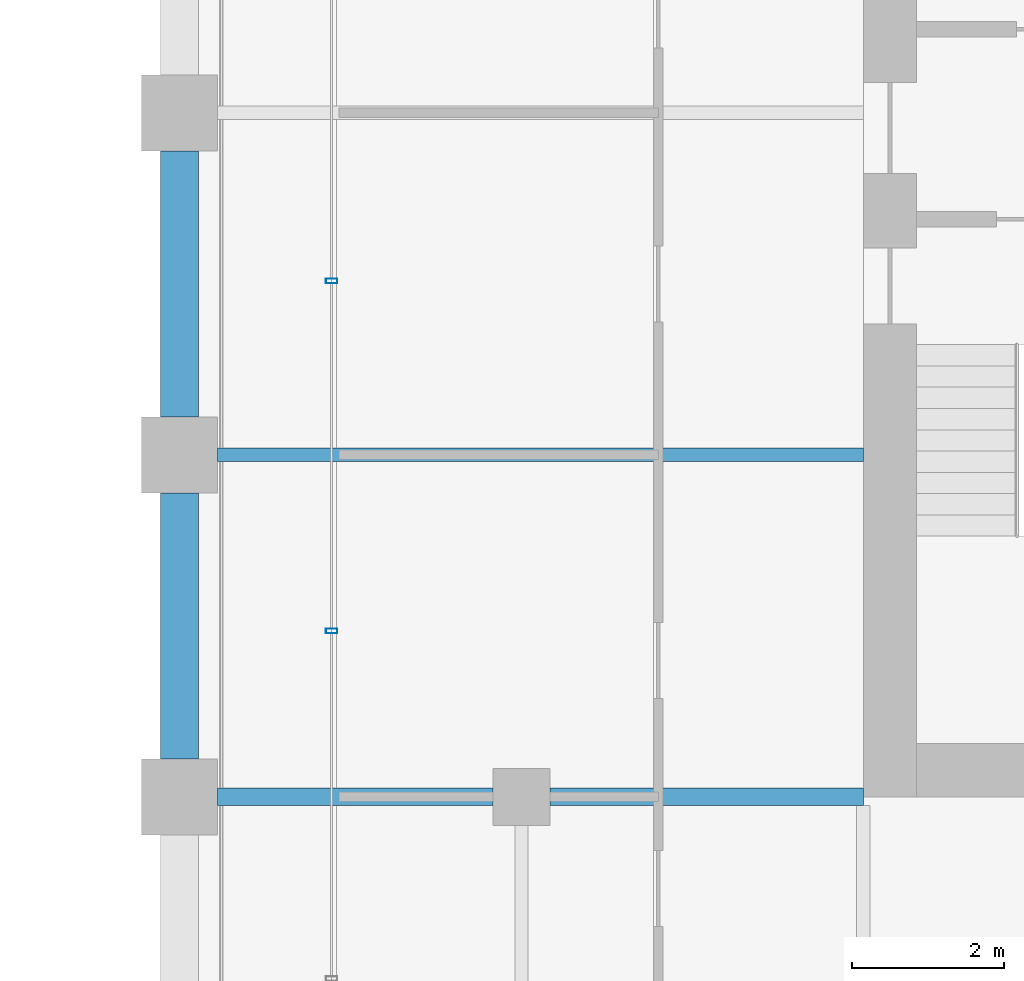
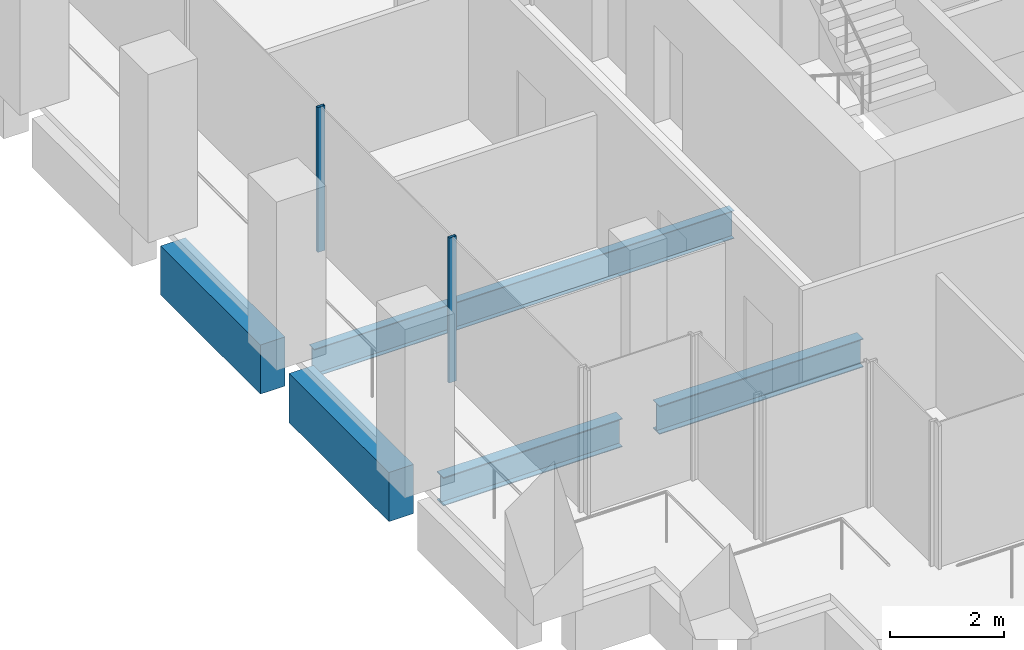
# One storey, part 30 of 47: 5 beams, 2 members, 1 element without a shape of its own.
"""IFC4 building model written with IfcOpenShell, lengths in metres."""

from ifc_helpers import new_model, si_unit, direction, frame, origin, origin_2d, place, context, subcontext, project, spatial, rectangle, hollow_rectangle, i_section, extrude, material, material_profile, profile_set, type_object, element, aggregate, save


model = new_model("IFC4")

# Units and contexts
model_context = context("Model", 3, precision=1e-05, world=origin(), true_north=direction((0.0, 1.0)))
body_context = subcontext(model_context, "Body", "Model", "MODEL_VIEW")
ifc_project = project(units=[si_unit("LENGTHUNIT", "METRE"), si_unit("AREAUNIT", "SQUARE_METRE"), si_unit("VOLUMEUNIT", "CUBIC_METRE"), si_unit("PLANEANGLEUNIT", "RADIAN"), si_unit("MASSUNIT", "GRAM", prefix="KILO")], contexts=[model_context])

# Site, building, storey
site_placement = place(None, origin())
site = spatial("IfcSite", under=ifc_project, at=site_placement, CompositionType="ELEMENT")
building_placement = place(site_placement, origin())
building = spatial("IfcBuilding", under=site, at=building_placement, Name="Altepetl Exchange Towers", CompositionType="ELEMENT")
storey_placement = place(building_placement, frame((0.0, 0.0, 99.199951171875)))
storey = spatial("IfcBuildingStorey", under=building, at=storey_placement, Name="L24", CompositionType="ELEMENT", Elevation=99.199951171875)

# Beams
ifc_material_1 = material(Name="Steel S355", Category="steel")
ifc_material_profile_1 = material_profile(ifc_material_1, i_section(OverallWidth=0.177978515625, OverallDepth=0.59912109375, WebThickness=0.010009765625, FlangeThickness=0.0126953125, at=origin_2d()), Name="W24X55")
ifc_profile_set_1 = profile_set([ifc_material_profile_1], Name="Steel S355")
beam_type_1 = type_object("IfcBeamType", Name="Floor beam W24X55", PredefinedType="BEAM", material=ifc_profile_set_1)
beam_1_placement = place(storey_placement, frame((95.0, 40.5, -0.449462890625), z_axis=(1.0, 0.0, 0.0), x_axis=(0.0, 1.0, 0.0)))
element("IfcBeam", 1, at=beam_1_placement, inside=storey, type_object=beam_type_1, Name="bm:B:L24:008", PredefinedType="BEAM", context=body_context, shape_type="SweptSolid", body=[
    extrude(i_section(OverallWidth=0.177978515625, OverallDepth=0.59912109375, WebThickness=0.010009765625, FlangeThickness=0.0126953125, at=origin_2d()), origin(), (0.0, 0.0, 1.0), 8.5),
])
ifc_material_profile_2 = material_profile(ifc_material_1, i_section(OverallWidth=0.22802734375, OverallDepth=0.60791015625, WebThickness=0.01123046875, FlangeThickness=0.017333984375, at=origin_2d()), Name="W24X76")
ifc_profile_set_2 = profile_set([ifc_material_profile_2], Name="Steel S355")
beam_type_2 = type_object("IfcBeamType", Name="Girder W24X76", PredefinedType="BEAM", material=ifc_profile_set_2)
beam_2_placement = place(storey_placement, frame((103.5, 36.0, -0.453857421875), z_axis=(-1.0, 0.0, 0.0), x_axis=(0.0, -1.0, 0.0)))
element("IfcBeam", 2, at=beam_2_placement, inside=storey, type_object=beam_type_2, Name="gd:B:L24:002", PredefinedType="BEAM", context=body_context, shape_type="SweptSolid", body=[
    extrude(i_section(OverallWidth=0.22802734375, OverallDepth=0.60791015625, WebThickness=0.01123046875, FlangeThickness=0.017333984375, at=origin_2d()), origin(), (0.0, 0.0, 1.0), 4.125),
])
beam_3_placement = place(storey_placement, frame((98.625, 36.0, -0.453857421875), z_axis=(-1.0, 0.0, 0.0), x_axis=(0.0, -1.0, 0.0)))
element("IfcBeam", 3, at=beam_3_placement, inside=storey, type_object=beam_type_2, Name="gd:B:L24:003", PredefinedType="BEAM", context=body_context, shape_type="SweptSolid", body=[
    extrude(i_section(OverallWidth=0.22802734375, OverallDepth=0.60791015625, WebThickness=0.01123046875, FlangeThickness=0.017333984375, at=origin_2d()), origin(), (0.0, 0.0, 1.0), 3.625),
])

# Curtain wall, members
ifc_material_2 = material(Name="Aluminium 6063-T6 glazing", Category="aluminium")
curtain_wall_type = type_object("IfcCurtainWallType", Name="Loggia glazing system", PredefinedType="NOTDEFINED", material=ifc_material_2)
curtain_wall_placement = place(storey_placement, origin())
curtain_wall = element("IfcCurtainWall", 4, at=curtain_wall_placement, inside=storey, type_object=curtain_wall_type, Name="CW1 run", PredefinedType="NOTDEFINED")
ifc_material_3 = material(Name="Aluminium 6063-T6", Category="aluminium")
ifc_material_profile_3 = material_profile(ifc_material_3, hollow_rectangle(XDim=0.06005859375, YDim=0.14990234375, WallThickness=0.0029296875, at=origin_2d()), Name="Mullion 60x150 aluminium")
ifc_profile_set_3 = profile_set([ifc_material_profile_3], Name="Aluminium 6063-T6")
member_type = type_object("IfcMemberType", Name="Mullion 60x150 aluminium", PredefinedType="MULLION", material=ifc_profile_set_3)
member_1_placement = place(storey_placement, frame((96.5, 42.78759765625, 0.0), z_axis=(0.0, 0.0, 1.0), x_axis=(0.0, -1.0, 0.0)))
member_1 = element("IfcMember", 5, at=member_1_placement, type_object=member_type, Name="MU1 mullion", PredefinedType="MULLION", context=body_context, shape_type="SweptSolid", body=[
    extrude(hollow_rectangle(XDim=0.06005859375, YDim=0.14990234375, WallThickness=0.0029296875, at=origin_2d()), origin(), (0.0, 0.0, 1.0), 3.10009765625),
])
member_2_placement = place(storey_placement, frame((96.5, 38.18115234375, 0.0), z_axis=(0.0, 0.0, 1.0), x_axis=(0.0, -1.0, 0.0)))
member_2 = element("IfcMember", 6, at=member_2_placement, type_object=member_type, Name="MU1 mullion", PredefinedType="MULLION", context=body_context, shape_type="SweptSolid", body=[
    extrude(hollow_rectangle(XDim=0.06005859375, YDim=0.14990234375, WallThickness=0.0029296875, at=origin_2d()), origin(), (0.0, 0.0, 1.0), 3.10009765625),
])
aggregate(curtain_wall, [member_1, member_2])

# Beams
ifc_material_4 = material(Name="Concrete C50/60 precast with cantera rosa facing", Category="concrete")
ifc_material_profile_4 = material_profile(ifc_material_4, rectangle(XDim=0.5, YDim=1.050048828125, at=origin_2d()), Name="500 x 1050")
ifc_profile_set_4 = profile_set([ifc_material_profile_4], Name="Concrete C50/60 precast with cantera rosa facing")
beam_type_3 = type_object("IfcBeamType", Name="Spandrel beam 500x1050 cantera rosa", PredefinedType="SPANDREL", material=ifc_profile_set_4)
for number, where, z_axis, x_axis, name in (
    (7, (94.5, 44.5, -0.675048828125), (0.0, -1.0, 0.0), (1.0, 0.0, 0.0), "sp:B:L24:024"),
    (8, (94.5, 40.0, -0.675048828125), (0.0, -1.0, 0.0), (1.0, 0.0, 0.0), "sp:B:L24:025"),
):
    element("IfcBeam", number, at=place(storey_placement, frame(where, z_axis=z_axis, x_axis=x_axis)), inside=storey, type_object=beam_type_3, Name=name, PredefinedType="SPANDREL", context=body_context, shape_type="SweptSolid", body=[
        extrude(rectangle(XDim=0.5, YDim=1.050048828125, at=origin_2d()), origin(), (0.0, 0.0, 1.0), 3.5),
    ])

save(model, "model.ifc")
